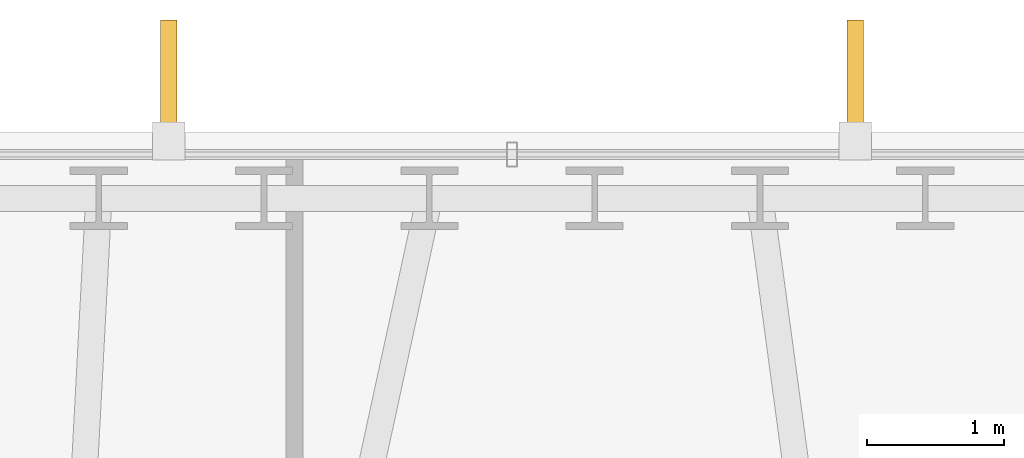
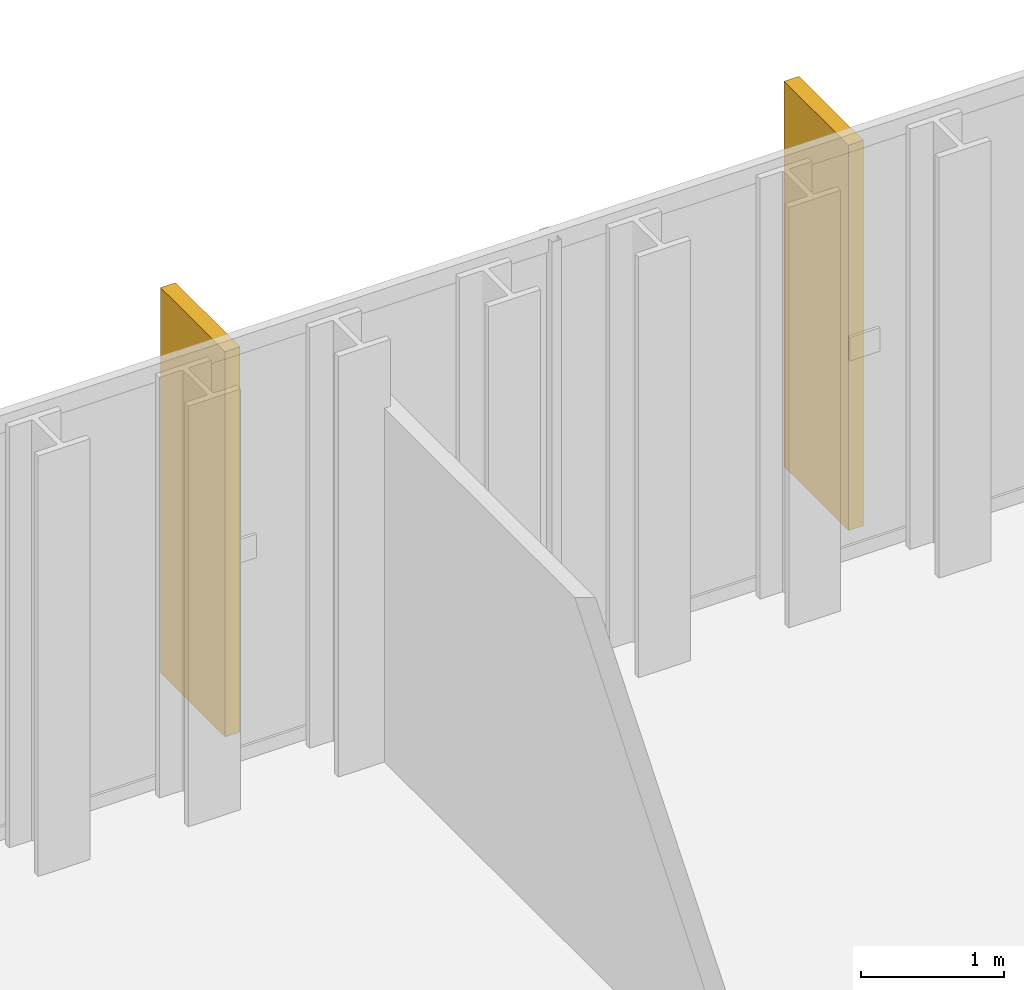
# One storey, part 35 of 35: 2 shading devices.
"""IFC4 building model written with IfcOpenShell, lengths in metres."""

from ifc_helpers import new_model, si_unit, direction, frame, origin, origin_2d, place, context, subcontext, project, spatial, rectangle, extrude, material, type_object, element, save


model = new_model("IFC4")

# Units and contexts
model_context = context("Model", 3, precision=1e-05, world=origin(), true_north=direction((0.0, 1.0)))
body_context = subcontext(model_context, "Body", "Model", "MODEL_VIEW")
ifc_project = project(units=[si_unit("LENGTHUNIT", "METRE"), si_unit("AREAUNIT", "SQUARE_METRE"), si_unit("VOLUMEUNIT", "CUBIC_METRE"), si_unit("PLANEANGLEUNIT", "RADIAN"), si_unit("MASSUNIT", "GRAM", prefix="KILO")], contexts=[model_context])

# Site, building, storey
site_placement = place(None, origin())
site = spatial("IfcSite", under=ifc_project, at=site_placement, CompositionType="ELEMENT")
building_placement = place(site_placement, origin())
building = spatial("IfcBuilding", under=site, at=building_placement, Name="Ndaravel Arena Tower", CompositionType="ELEMENT")
storey_placement = place(building_placement, frame((0.0, 0.0, 176.39990234375)))
storey = spatial("IfcBuildingStorey", under=building, at=storey_placement, Name="L42", CompositionType="ELEMENT", Elevation=176.39990234375)

# Shading devices
ifc_material = material(Name="Masonry", Category="masonry")
shading_device_type = type_object("IfcShadingDeviceType", Name="SHD-MAZERAS-FIN", PredefinedType="SHUTTER", material=ifc_material)
for number, where, z_axis, x_axis, name in (
    (1, (44.509521484375, 46.7822265625, 0.14990234375), (0.0, 0.0, 1.0), (0.0, 1.0, 0.0), "L42 Mazeras Stone Solar Fin E4.1"),
    (2, (39.490478515625, 46.7822265625, 0.14990234375), (0.0, 0.0, 1.0), (0.0, 1.0, 0.0), "L42 Mazeras Stone Solar Fin E4.2"),
):
    element("IfcShadingDevice", number, at=place(storey_placement, frame(where, z_axis=z_axis, x_axis=x_axis)), inside=storey, type_object=shading_device_type, Name=name, PredefinedType="SHUTTER", context=body_context, shape_type="SweptSolid", body=[
        extrude(rectangle(XDim=0.89990234375, YDim=0.1201171875, at=origin_2d()), origin(), (0.0, 0.0, 1.0), 3.280029296875),
    ])

save(model, "model.ifc")
